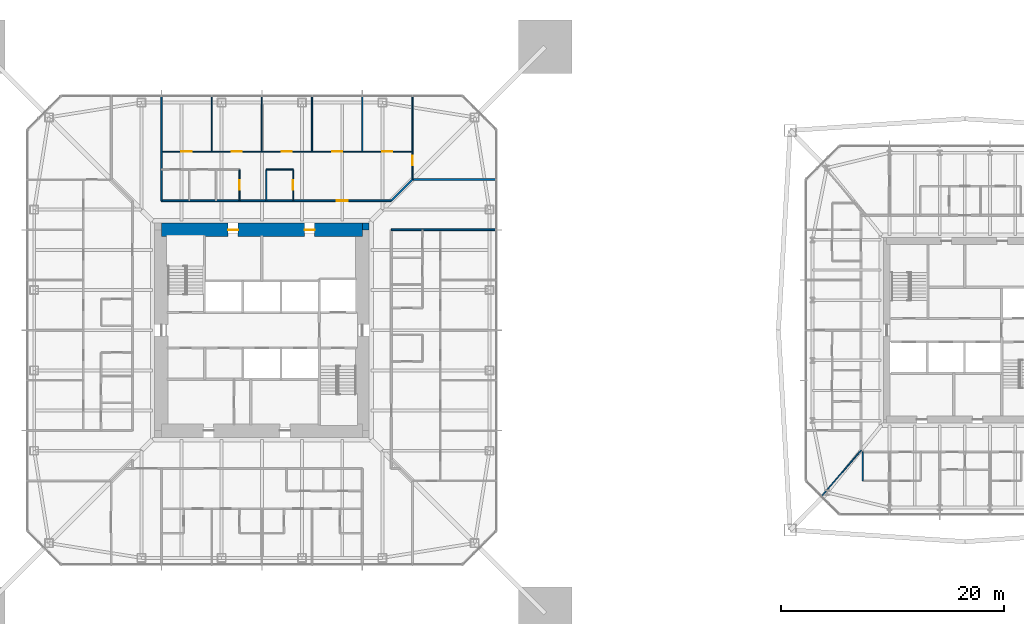
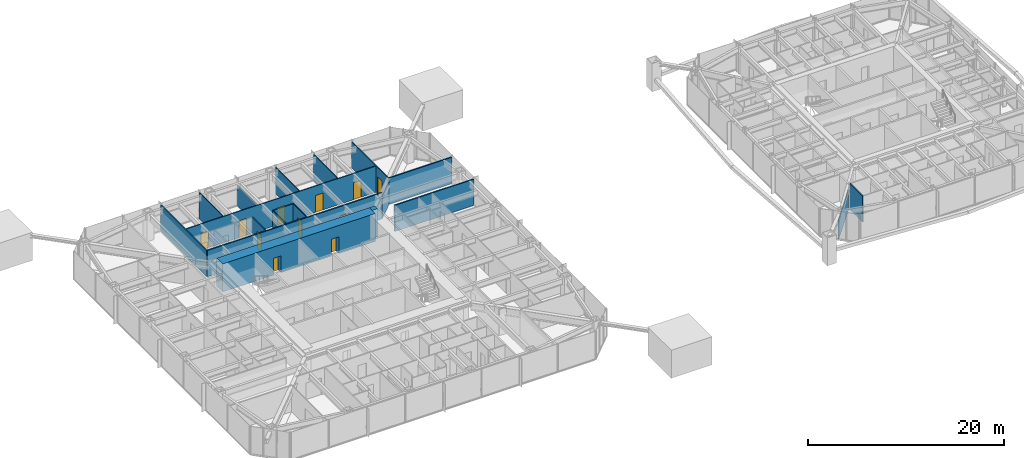
# One storey, part 16 of 25: 19 walls, 11 doors, 11 openings.
"""IFC4 building model written with IfcOpenShell, lengths in metres."""

from ifc_helpers import new_model, si_unit, direction, frame, frame_2d, origin, place, context, subcontext, project, spatial, rectangle, extrude, material, layer, layer_set, type_object, element, fill, save


model = new_model("IFC4")

# Units and contexts
model_context = context("Model", 3, precision=1e-05, world=origin(), true_north=direction((0.0, 1.0)))
body_context = subcontext(model_context, "Body", "Model", "MODEL_VIEW")
ifc_project = project(units=[si_unit("LENGTHUNIT", "METRE"), si_unit("AREAUNIT", "SQUARE_METRE"), si_unit("VOLUMEUNIT", "CUBIC_METRE"), si_unit("PLANEANGLEUNIT", "RADIAN"), si_unit("MASSUNIT", "GRAM", prefix="KILO")], contexts=[model_context])

# Site, building, storey
site_placement = place(None, origin())
site = spatial("IfcSite", under=ifc_project, at=site_placement, CompositionType="ELEMENT")
building_placement = place(site_placement, origin())
building = spatial("IfcBuilding", under=site, at=building_placement, Name="Iwan Alto Co-Living Towers", CompositionType="ELEMENT")
storey_placement = place(building_placement, frame((0.0, 0.0, 87.5)))
storey = spatial("IfcBuildingStorey", under=building, at=storey_placement, Name="L23", CompositionType="ELEMENT", Elevation=87.5)

# Wall
ifc_material_1 = material(Name="Gypsum board")
ifc_layer_1 = layer(ifc_material_1, 0.02490234375, Name="Board", Category="Finish")
ifc_material_2 = material(Name="Steel ASTM A1003 ST33H cold-formed studs", Category="steel")
ifc_layer_2 = layer(ifc_material_2, 0.10009765625, Name="Studs", Category="Framing")
ifc_layer_3 = layer(ifc_material_1, 0.02490234375, Name="Board", Category="Finish")
ifc_layer_set_1 = layer_set([ifc_layer_1, ifc_layer_2, ifc_layer_3], Name="CORRIDOR WALL 150")
wall_type_1 = type_object("IfcWallType", Name="CORRIDOR WALL 150", PredefinedType="PARTITIONING", material=ifc_layer_set_1)
wall_1_placement = place(storey_placement, frame((11.60009765625, 9.0, 0.0), z_axis=(0.0, 0.0, 1.0), x_axis=(1.0, 0.0, 0.0)))
element("IfcWall", 1, at=wall_1_placement, inside=storey, type_object=wall_type_1, Name="Partition L23", PredefinedType="PARTITIONING", context=body_context, shape_type="SweptSolid", body=[
    extrude(rectangle(XDim=9.33984375, YDim=0.14990234375, at=frame_2d((4.669921875, 0.0))), origin(), (0.0, 0.0, 1.0), 3.27001953125),
])

# Wall, opening, door
wall_2_placement = place(storey_placement, frame((-9.0, 11.60009765625, 0.0), z_axis=(0.0, 0.0, 1.0), x_axis=(1.0, 0.0, 0.0)))
wall_2 = element("IfcWall", 2, at=wall_2_placement, inside=storey, type_object=wall_type_1, Name="Partition L23", PredefinedType="PARTITIONING", context=body_context, shape_type="SweptSolid", body=[
    extrude(rectangle(XDim=20.60009765625, YDim=0.14990234375, at=frame_2d((10.300048828125, 0.0))), origin(), (0.0, 0.0, 1.0), 3.27001953125),
])
opening_1_placement = place(wall_2_placement, frame((15.699951171875, 0.0, 0.0)))
opening_1 = element("IfcOpeningElement", 3, at=opening_1_placement, cuts=wall_2, Name="Opening D3", PredefinedType="OPENING", context=body_context, shape_type="SweptSolid", body=[
    extrude(rectangle(XDim=1.0, YDim=2.10009765625, at=frame_2d((0.5, 1.050048828125))), frame((0.0, 0.0849609375, 0.0), z_axis=(0.0, -1.0, 0.0), x_axis=(1.0, 0.0, 0.0)), (0.0, 0.0, 1.0), 0.169921875),
])
ifc_material_3 = material(Name="Steel frame with timber leaf", Category="steel")
door_type_1 = type_object("IfcDoorType", Name="FLAT ENTRANCE DOOR FD30S 1000X2100", OperationType="SINGLE_SWING_LEFT", PredefinedType="DOOR", material=ifc_material_3)
door_1_placement = place(opening_1_placement, origin())
door_1 = element("IfcDoor", 4, at=door_1_placement, inside=storey, type_object=door_type_1, Name="Cluster lounge door L23", OperationType="SINGLE_SWING_LEFT", OverallHeight=2.10009765625, OverallWidth=1.0, PredefinedType="DOOR", context=body_context, shape_type="SweptSolid", body=[
    extrude(rectangle(XDim=1.0, YDim=2.10009765625, at=frame_2d((0.5, 1.050048828125))), frame((0.0, 0.02490234375, 0.0), z_axis=(0.0, -1.0, 0.0), x_axis=(1.0, 0.0, 0.0)), (0.0, 0.0, 1.0), 0.050048828125),
])
fill(opening_1, door_1)

# Walls
wall_3_placement = place(storey_placement, frame((13.5, 13.5, 0.0), z_axis=(0.0, 0.0, 1.0), x_axis=(1.0, 0.0, 0.0)))
element("IfcWall", 5, at=wall_3_placement, inside=storey, type_object=wall_type_1, Name="Partition L23", PredefinedType="PARTITIONING", context=body_context, shape_type="SweptSolid", body=[
    extrude(rectangle(XDim=7.43994140625, YDim=0.14990234375, at=frame_2d((3.719970703125, 0.0))), origin(), (0.0, 0.0, 1.0), 3.27001953125),
])
wall_4_placement = place(storey_placement, frame((11.60009765625, 11.60009765625, 0.0), z_axis=(0.0, 0.0, 1.0), x_axis=(0.707106781187, 0.707106781187, 0.0)))
element("IfcWall", 6, at=wall_4_placement, inside=storey, type_object=wall_type_1, Name="Partition L23", PredefinedType="PARTITIONING", context=body_context, shape_type="SweptSolid", body=[
    extrude(rectangle(XDim=2.686767578125, YDim=0.14990234375, at=frame_2d((1.34326171875, 0.0))), origin(), (0.0, 0.0, 1.0), 2.343017578125),
])
wall_5_placement = place(storey_placement, frame((-9.0, 11.60009765625, 0.0), z_axis=(0.0, 0.0, 1.0), x_axis=(0.0, 1.0, 0.0)))
element("IfcWall", 7, at=wall_5_placement, inside=storey, type_object=wall_type_1, Name="Partition L23", PredefinedType="PARTITIONING", context=body_context, shape_type="SweptSolid", body=[
    extrude(rectangle(XDim=9.33984375, YDim=0.14990234375, at=frame_2d((4.669921875, 0.0))), origin(), (0.0, 0.0, 1.0), 3.27001953125),
])
ifc_layer_4 = layer(ifc_material_1, 0.012451171875, Name="Board", Category="Finish")
ifc_layer_5 = layer(ifc_material_2, 0.074951171875, Name="Studs", Category="Framing")
ifc_layer_6 = layer(ifc_material_1, 0.012451171875, Name="Board", Category="Finish")
ifc_layer_set_2 = layer_set([ifc_layer_4, ifc_layer_5, ifc_layer_6], Name="PARTITION 100")
wall_type_2 = type_object("IfcWallType", Name="PARTITION 100", PredefinedType="PARTITIONING", material=ifc_layer_set_2)
wall_6_placement = place(storey_placement, frame((0.39990234375, 14.39990234375, 0.0), z_axis=(0.0, 0.0, 1.0), x_axis=(1.0, 0.0, 0.0)))
element("IfcWall", 8, at=wall_6_placement, inside=storey, type_object=wall_type_2, Name="Partition L23", PredefinedType="PARTITIONING", context=body_context, shape_type="SweptSolid", body=[
    extrude(rectangle(XDim=2.400146484375, YDim=0.10009765625, at=frame_2d((1.2001953125, 0.0))), origin(), (0.0, 0.0, 1.0), 3.27001953125),
])

# Wall, openings, doors
wall_7_placement = place(storey_placement, frame((-9.0, 16.0, 0.0), z_axis=(0.0, 0.0, 1.0), x_axis=(1.0, 0.0, 0.0)))
wall_7 = element("IfcWall", 9, at=wall_7_placement, inside=storey, type_object=wall_type_2, Name="Partition L23", PredefinedType="PARTITIONING", context=body_context, shape_type="SweptSolid", body=[
    extrude(rectangle(XDim=22.5, YDim=0.10009765625, at=frame_2d((11.25, 0.0))), origin(), (0.0, 0.0, 1.0), 3.27001953125),
])
opening_2_placement = place(wall_7_placement, frame((19.800048828125, 0.0, 0.0)))
opening_2 = element("IfcOpeningElement", 10, at=opening_2_placement, cuts=wall_7, Name="Opening D1", PredefinedType="OPENING", context=body_context, shape_type="SweptSolid", body=[
    extrude(rectangle(XDim=0.89990234375, YDim=2.10009765625, at=frame_2d((0.449951171875, 1.050048828125))), frame((0.0, 0.06005859375, 0.0), z_axis=(0.0, -1.0, 0.0), x_axis=(1.0, 0.0, 0.0)), (0.0, 0.0, 1.0), 0.1201171875),
])
opening_3_placement = place(wall_7_placement, frame((15.300048828125, 0.0, 0.0)))
opening_3 = element("IfcOpeningElement", 11, at=opening_3_placement, cuts=wall_7, Name="Opening D1", PredefinedType="OPENING", context=body_context, shape_type="SweptSolid", body=[
    extrude(rectangle(XDim=0.89990234375, YDim=2.10009765625, at=frame_2d((0.449951171875, 1.050048828125))), frame((0.0, 0.06005859375, 0.0), z_axis=(0.0, -1.0, 0.0), x_axis=(1.0, 0.0, 0.0)), (0.0, 0.0, 1.0), 0.1201171875),
])
opening_4_placement = place(wall_7_placement, frame((10.800048828125, 0.0, 0.0)))
opening_4 = element("IfcOpeningElement", 12, at=opening_4_placement, cuts=wall_7, Name="Opening D1", PredefinedType="OPENING", context=body_context, shape_type="SweptSolid", body=[
    extrude(rectangle(XDim=0.89990234375, YDim=2.10009765625, at=frame_2d((0.449951171875, 1.050048828125))), frame((0.0, 0.06005859375, 0.0), z_axis=(0.0, -1.0, 0.0), x_axis=(1.0, 0.0, 0.0)), (0.0, 0.0, 1.0), 0.1201171875),
])
opening_5_placement = place(wall_7_placement, frame((6.300048828125, 0.0, 0.0)))
opening_5 = element("IfcOpeningElement", 13, at=opening_5_placement, cuts=wall_7, Name="Opening D1", PredefinedType="OPENING", context=body_context, shape_type="SweptSolid", body=[
    extrude(rectangle(XDim=0.89990234375, YDim=2.10009765625, at=frame_2d((0.449951171875, 1.050048828125))), frame((0.0, 0.06005859375, 0.0), z_axis=(0.0, -1.0, 0.0), x_axis=(1.0, 0.0, 0.0)), (0.0, 0.0, 1.0), 0.1201171875),
])
opening_6_placement = place(wall_7_placement, frame((1.800048828125, 0.0, 0.0)))
opening_6 = element("IfcOpeningElement", 14, at=opening_6_placement, cuts=wall_7, Name="Opening D1", PredefinedType="OPENING", context=body_context, shape_type="SweptSolid", body=[
    extrude(rectangle(XDim=0.89990234375, YDim=2.10009765625, at=frame_2d((0.449951171875, 1.050048828125))), frame((0.0, 0.06005859375, 0.0), z_axis=(0.0, -1.0, 0.0), x_axis=(1.0, 0.0, 0.0)), (0.0, 0.0, 1.0), 0.1201171875),
])
ifc_material_4 = material(Name="Timber leaf in steel frame", Category="steel")
door_type_2 = type_object("IfcDoorType", Name="BEDROOM DOOR 900X2100", OperationType="SINGLE_SWING_LEFT", PredefinedType="DOOR", material=ifc_material_4)
door_2_placement = place(opening_2_placement, frame((0.89990234375, 0.0, 0.0), z_axis=(0.0, 0.0, 1.0), x_axis=(-1.0, 0.0, 0.0)))
door_2 = element("IfcDoor", 15, at=door_2_placement, inside=storey, type_object=door_type_2, Name="Study bedroom door L23", OperationType="SINGLE_SWING_LEFT", OverallHeight=2.10009765625, OverallWidth=0.89990234375, PredefinedType="DOOR", context=body_context, shape_type="SweptSolid", body=[
    extrude(rectangle(XDim=0.89990234375, YDim=2.10009765625, at=frame_2d((0.449951171875, 1.050048828125))), frame((0.0, 0.02490234375, 0.0), z_axis=(0.0, -1.0, 0.0), x_axis=(1.0, 0.0, 0.0)), (0.0, 0.0, 1.0), 0.050048828125),
])
fill(opening_2, door_2)
door_3_placement = place(opening_3_placement, frame((0.89990234375, 0.0, 0.0), z_axis=(0.0, 0.0, 1.0), x_axis=(-1.0, 0.0, 0.0)))
door_3 = element("IfcDoor", 16, at=door_3_placement, inside=storey, type_object=door_type_2, Name="Study bedroom door L23", OperationType="SINGLE_SWING_LEFT", OverallHeight=2.10009765625, OverallWidth=0.89990234375, PredefinedType="DOOR", context=body_context, shape_type="SweptSolid", body=[
    extrude(rectangle(XDim=0.89990234375, YDim=2.10009765625, at=frame_2d((0.449951171875, 1.050048828125))), frame((0.0, 0.02490234375, 0.0), z_axis=(0.0, -1.0, 0.0), x_axis=(1.0, 0.0, 0.0)), (0.0, 0.0, 1.0), 0.050048828125),
])
fill(opening_3, door_3)
door_4_placement = place(opening_4_placement, frame((0.89990234375, 0.0, 0.0), z_axis=(0.0, 0.0, 1.0), x_axis=(-1.0, 0.0, 0.0)))
door_4 = element("IfcDoor", 17, at=door_4_placement, inside=storey, type_object=door_type_2, Name="Study bedroom door L23", OperationType="SINGLE_SWING_RIGHT", OverallHeight=2.10009765625, OverallWidth=0.89990234375, PredefinedType="DOOR", context=body_context, shape_type="SweptSolid", body=[
    extrude(rectangle(XDim=0.89990234375, YDim=2.10009765625, at=frame_2d((0.449951171875, 1.050048828125))), frame((0.0, 0.02490234375, 0.0), z_axis=(0.0, -1.0, 0.0), x_axis=(1.0, 0.0, 0.0)), (0.0, 0.0, 1.0), 0.050048828125),
])
fill(opening_4, door_4)
door_5_placement = place(opening_5_placement, frame((0.89990234375, 0.0, 0.0), z_axis=(0.0, 0.0, 1.0), x_axis=(-1.0, 0.0, 0.0)))
door_5 = element("IfcDoor", 18, at=door_5_placement, inside=storey, type_object=door_type_2, Name="Study bedroom door L23", OperationType="SINGLE_SWING_RIGHT", OverallHeight=2.10009765625, OverallWidth=0.89990234375, PredefinedType="DOOR", context=body_context, shape_type="SweptSolid", body=[
    extrude(rectangle(XDim=0.89990234375, YDim=2.10009765625, at=frame_2d((0.449951171875, 1.050048828125))), frame((0.0, 0.02490234375, 0.0), z_axis=(0.0, -1.0, 0.0), x_axis=(1.0, 0.0, 0.0)), (0.0, 0.0, 1.0), 0.050048828125),
])
fill(opening_5, door_5)
door_6_placement = place(opening_6_placement, frame((0.89990234375, 0.0, 0.0), z_axis=(0.0, 0.0, 1.0), x_axis=(-1.0, 0.0, 0.0)))
door_6 = element("IfcDoor", 19, at=door_6_placement, inside=storey, type_object=door_type_2, Name="Study bedroom door L23", OperationType="SINGLE_SWING_RIGHT", OverallHeight=2.10009765625, OverallWidth=0.89990234375, PredefinedType="DOOR", context=body_context, shape_type="SweptSolid", body=[
    extrude(rectangle(XDim=0.89990234375, YDim=2.10009765625, at=frame_2d((0.449951171875, 1.050048828125))), frame((0.0, 0.02490234375, 0.0), z_axis=(0.0, -1.0, 0.0), x_axis=(1.0, 0.0, 0.0)), (0.0, 0.0, 1.0), 0.050048828125),
])
fill(opening_6, door_6)

# Wall
wall_8_placement = place(storey_placement, frame((50.178955078125, -14.843994140625, 0.0), z_axis=(0.0, 0.0, 1.0), x_axis=(0.653713095188, 0.756742485381, 0.0)))
element("IfcWall", 20, at=wall_8_placement, inside=storey, type_object=wall_type_2, Name="Partition L23", PredefinedType="PARTITIONING", context=body_context, shape_type="SweptSolid", body=[
    extrude(rectangle(XDim=5.38623046875, YDim=0.10009765625, at=frame_2d((2.693115234375, 0.0))), origin(), (0.0, 0.0, 1.0), 2.42919921875),
])

# Wall, opening, door
wall_9_placement = place(storey_placement, frame((13.5, 13.5, 0.0), z_axis=(0.0, 0.0, 1.0), x_axis=(0.0, 1.0, 0.0)))
wall_9 = element("IfcWall", 21, at=wall_9_placement, inside=storey, type_object=wall_type_2, Name="Partition L23", PredefinedType="PARTITIONING", context=body_context, shape_type="SweptSolid", body=[
    extrude(rectangle(XDim=7.43994140625, YDim=0.10009765625, at=frame_2d((3.719970703125, 0.0))), origin(), (0.0, 0.0, 1.0), 3.27001953125),
])
opening_7_placement = place(wall_9_placement, frame((1.27490234375, 0.0, 0.0)))
opening_7 = element("IfcOpeningElement", 22, at=opening_7_placement, cuts=wall_9, Name="Opening D2", PredefinedType="OPENING", context=body_context, shape_type="SweptSolid", body=[
    extrude(rectangle(XDim=0.85009765625, YDim=2.10009765625, at=frame_2d((0.425048828125, 1.050048828125))), frame((0.0, 0.06005859375, 0.0), z_axis=(0.0, -1.0, 0.0), x_axis=(1.0, 0.0, 0.0)), (0.0, 0.0, 1.0), 0.1201171875),
])
ifc_material_5 = material(Name="Timber leaf in steel frame", Category="steel")
door_type_3 = type_object("IfcDoorType", Name="ROOM DOOR 850X2100", OperationType="SINGLE_SWING_LEFT", PredefinedType="DOOR", material=ifc_material_5)
door_7_placement = place(opening_7_placement, origin())
door_7 = element("IfcDoor", 23, at=door_7_placement, inside=storey, type_object=door_type_3, Name="Shared kitchen and lounge door L23", OperationType="SINGLE_SWING_RIGHT", OverallHeight=2.10009765625, OverallWidth=0.85009765625, PredefinedType="DOOR", context=body_context, shape_type="SweptSolid", body=[
    extrude(rectangle(XDim=0.85009765625, YDim=2.10009765625, at=frame_2d((0.425048828125, 1.050048828125))), frame((0.0, 0.02490234375, 0.0), z_axis=(0.0, -1.0, 0.0), x_axis=(1.0, 0.0, 0.0)), (0.0, 0.0, 1.0), 0.050048828125),
])
fill(opening_7, door_7)

# Walls
for number, where, z_axis, x_axis, name in (
    (24, (9.0, 16.0, 0.0), (0.0, 0.0, 1.0), (0.0, 1.0, 0.0), "Partition L23"),
    (25, (4.5, 16.0, 0.0), (0.0, 0.0, 1.0), (0.0, 1.0, 0.0), "Partition L23"),
):
    element("IfcWall", number, at=place(storey_placement, frame(where, z_axis=z_axis, x_axis=x_axis)), inside=storey, type_object=wall_type_2, Name=name, PredefinedType="PARTITIONING", context=body_context, shape_type="SweptSolid", body=[
        extrude(rectangle(XDim=4.93994140625, YDim=0.10009765625, at=frame_2d((2.469970703125, 0.0))), origin(), (0.0, 0.0, 1.0), 3.27001953125),
    ])

# Wall, opening, door
wall_10_placement = place(storey_placement, frame((2.800048828125, 11.60009765625, 0.0), z_axis=(0.0, 0.0, 1.0), x_axis=(0.0, 1.0, 0.0)))
wall_10 = element("IfcWall", 26, at=wall_10_placement, inside=storey, type_object=wall_type_2, Name="Partition L23", PredefinedType="PARTITIONING", context=body_context, shape_type="SweptSolid", body=[
    extrude(rectangle(XDim=2.7998046875, YDim=0.10009765625, at=frame_2d((1.39990234375, 0.0))), origin(), (0.0, 0.0, 1.0), 3.27001953125),
])
opening_8_placement = place(wall_10_placement, frame((0.97509765625, 0.0, 0.0)))
opening_8 = element("IfcOpeningElement", 27, at=opening_8_placement, cuts=wall_10, Name="Opening D2", PredefinedType="OPENING", context=body_context, shape_type="SweptSolid", body=[
    extrude(rectangle(XDim=0.85009765625, YDim=2.10009765625, at=frame_2d((0.425048828125, 1.050048828125))), frame((0.0, 0.06005859375, 0.0), z_axis=(0.0, -1.0, 0.0), x_axis=(1.0, 0.0, 0.0)), (0.0, 0.0, 1.0), 0.1201171875),
])
door_8_placement = place(opening_8_placement, frame((0.85009765625, 0.0, 0.0), z_axis=(0.0, 0.0, 1.0), x_axis=(-1.0, 0.0, 0.0)))
door_8 = element("IfcDoor", 28, at=door_8_placement, inside=storey, type_object=door_type_3, Name="Store room door L23", OperationType="SINGLE_SWING_RIGHT", OverallHeight=2.10009765625, OverallWidth=0.85009765625, PredefinedType="DOOR", context=body_context, shape_type="SweptSolid", body=[
    extrude(rectangle(XDim=0.85009765625, YDim=2.10009765625, at=frame_2d((0.425048828125, 1.050048828125))), frame((0.0, 0.02490234375, 0.0), z_axis=(0.0, -1.0, 0.0), x_axis=(1.0, 0.0, 0.0)), (0.0, 0.0, 1.0), 0.050048828125),
])
fill(opening_8, door_8)

# Walls
wall_11_placement = place(storey_placement, frame((0.39990234375, 11.60009765625, 0.0), z_axis=(0.0, 0.0, 1.0), x_axis=(0.0, 1.0, 0.0)))
element("IfcWall", 29, at=wall_11_placement, inside=storey, type_object=wall_type_2, Name="Partition L23", PredefinedType="PARTITIONING", context=body_context, shape_type="SweptSolid", body=[
    extrude(rectangle(XDim=2.7998046875, YDim=0.10009765625, at=frame_2d((1.39990234375, 0.0))), origin(), (0.0, 0.0, 1.0), 3.27001953125),
])
wall_12_placement = place(storey_placement, frame((0.0, 16.0, 0.0), z_axis=(0.0, 0.0, 1.0), x_axis=(0.0, 1.0, 0.0)))
element("IfcWall", 30, at=wall_12_placement, inside=storey, type_object=wall_type_2, Name="Partition L23", PredefinedType="PARTITIONING", context=body_context, shape_type="SweptSolid", body=[
    extrude(rectangle(XDim=4.93994140625, YDim=0.10009765625, at=frame_2d((2.469970703125, 0.0))), origin(), (0.0, 0.0, 1.0), 2.586669921875),
])
wall_13_placement = place(storey_placement, frame((-4.5, 16.0, 0.0), z_axis=(0.0, 0.0, 1.0), x_axis=(0.0, 1.0, 0.0)))
element("IfcWall", 31, at=wall_13_placement, inside=storey, type_object=wall_type_2, Name="Partition L23", PredefinedType="PARTITIONING", context=body_context, shape_type="SweptSolid", body=[
    extrude(rectangle(XDim=4.93994140625, YDim=0.10009765625, at=frame_2d((2.469970703125, 0.0))), origin(), (0.0, 0.0, 1.0), 3.27001953125),
])
ifc_material_6 = material(Name="Concrete f'c 70 MPa", Category="concrete")
ifc_layer_7 = layer(ifc_material_6, 0.60009765625)
ifc_layer_set_3 = layer_set([ifc_layer_7], Name="T1 CORE CORNER FILL 600")
wall_type_3 = type_object("IfcWallType", Name="T1 CORE CORNER FILL 600", PredefinedType="SOLIDWALL", material=ifc_layer_set_3)
wall_14_placement = place(storey_placement, frame((9.0, 9.300048828125, 0.0), z_axis=(0.0, 0.0, 1.0), x_axis=(1.0, 0.0, 0.0)))
element("IfcWall", 32, at=wall_14_placement, inside=storey, type_object=wall_type_3, Name="T1 core corner NE L23", PredefinedType="SOLIDWALL", context=body_context, shape_type="SweptSolid", body=[
    extrude(rectangle(XDim=0.60009765625, YDim=0.60009765625, at=frame_2d((0.300048828125, 0.0))), origin(), (0.0, 0.0, 1.0), 3.5),
])

# Wall, openings, doors
ifc_material_7 = material(Name="Concrete f'c 70 MPa", Category="concrete")
ifc_layer_8 = layer(ifc_material_7, 1.199951171875)
ifc_layer_set_4 = layer_set([ifc_layer_8], Name="T1 CORE WALL 1200")
wall_type_4 = type_object("IfcWallType", Name="T1 CORE WALL 1200", PredefinedType="SHEAR", material=ifc_layer_set_4)
wall_15_placement = place(storey_placement, frame((9.0, 9.0, 0.0), z_axis=(0.0, 0.0, 1.0), x_axis=(-1.0, 0.0, 0.0)))
wall_15 = element("IfcWall", 33, at=wall_15_placement, inside=storey, type_object=wall_type_4, Name="T1 core wall N L23", PredefinedType="SHEAR", context=body_context, shape_type="SweptSolid", body=[
    extrude(rectangle(XDim=18.0, YDim=1.199951171875, at=frame_2d((9.0, 0.0))), origin(), (0.0, 0.0, 1.0), 3.5),
])
opening_9_placement = place(wall_15_placement, frame((11.125, 0.0, 0.0)))
opening_9 = element("IfcOpeningElement", 34, at=opening_9_placement, cuts=wall_15, Name="Opening D8", PredefinedType="OPENING", context=body_context, shape_type="SweptSolid", body=[
    extrude(rectangle(XDim=0.89990234375, YDim=2.10009765625, at=frame_2d((0.449951171875, 1.050048828125))), frame((0.0, 0.60986328125, 0.0), z_axis=(0.0, -1.0, 0.0), x_axis=(1.0, 0.0, 0.0)), (0.0, 0.0, 1.0), 1.219970703125),
])
opening_10_placement = place(wall_15_placement, frame((4.27490234375, 0.0, 0.0)))
opening_10 = element("IfcOpeningElement", 35, at=opening_10_placement, cuts=wall_15, Name="Opening D8", PredefinedType="OPENING", context=body_context, shape_type="SweptSolid", body=[
    extrude(rectangle(XDim=0.89990234375, YDim=2.10009765625, at=frame_2d((0.449951171875, 1.050048828125))), frame((0.0, 0.60986328125, 0.0), z_axis=(0.0, -1.0, 0.0), x_axis=(1.0, 0.0, 0.0)), (0.0, 0.0, 1.0), 1.219970703125),
])
ifc_material_8 = material(Name="Steel frame with timber leaf", Category="steel")
door_type_4 = type_object("IfcDoorType", Name="RISER DOOR FD120 900X2100", OperationType="SINGLE_SWING_LEFT", PredefinedType="DOOR", material=ifc_material_8)
door_9_placement = place(opening_9_placement, origin())
door_9 = element("IfcDoor", 36, at=door_9_placement, inside=storey, type_object=door_type_4, Name="Electrical riser core door L23", OperationType="SINGLE_SWING_RIGHT", OverallHeight=2.10009765625, OverallWidth=0.89990234375, PredefinedType="DOOR", context=body_context, shape_type="SweptSolid", body=[
    extrude(rectangle(XDim=0.89990234375, YDim=2.10009765625, at=frame_2d((0.449951171875, 1.050048828125))), frame((0.0, 0.02490234375, 0.0), z_axis=(0.0, -1.0, 0.0), x_axis=(1.0, 0.0, 0.0)), (0.0, 0.0, 1.0), 0.050048828125),
])
fill(opening_9, door_9)
door_10_placement = place(opening_10_placement, origin())
door_10 = element("IfcDoor", 37, at=door_10_placement, inside=storey, type_object=door_type_4, Name="Water and drainage riser core door L23", OperationType="SINGLE_SWING_RIGHT", OverallHeight=2.10009765625, OverallWidth=0.89990234375, PredefinedType="DOOR", context=body_context, shape_type="SweptSolid", body=[
    extrude(rectangle(XDim=0.89990234375, YDim=2.10009765625, at=frame_2d((0.449951171875, 1.050048828125))), frame((0.0, 0.02490234375, 0.0), z_axis=(0.0, -1.0, 0.0), x_axis=(1.0, 0.0, 0.0)), (0.0, 0.0, 1.0), 0.050048828125),
])
fill(opening_10, door_10)

# Wall
ifc_material_9 = material(Name="Cement board")
ifc_layer_9 = layer(ifc_material_9, 0.012451171875, Name="Board", Category="Finish")
ifc_layer_10 = layer(ifc_material_2, 0.094970703125, Name="Studs", Category="Framing")
ifc_layer_11 = layer(ifc_material_9, 0.012451171875, Name="Board", Category="Finish")
ifc_layer_set_5 = layer_set([ifc_layer_9, ifc_layer_10, ifc_layer_11], Name="WET AREA PARTITION 120")
wall_type_5 = type_object("IfcWallType", Name="WET AREA PARTITION 120", PredefinedType="PARTITIONING", material=ifc_layer_set_5)
wall_16_placement = place(storey_placement, frame((53.85009765625, -13.5, 0.0), z_axis=(0.0, 0.0, 1.0), x_axis=(0.0, 1.0, 0.0)))
element("IfcWall", 38, at=wall_16_placement, inside=storey, type_object=wall_type_5, Name="Partition L23", PredefinedType="PARTITIONING", context=body_context, shape_type="SweptSolid", body=[
    extrude(rectangle(XDim=2.60009765625, YDim=0.1201171875, at=frame_2d((1.300048828125, 0.0))), origin(), (0.0, 0.0, 1.0), 3.27001953125),
])

# Wall, opening, door
wall_17_placement = place(storey_placement, frame((-2.0, 11.60009765625, 0.0), z_axis=(0.0, 0.0, 1.0), x_axis=(0.0, 1.0, 0.0)))
wall_17 = element("IfcWall", 39, at=wall_17_placement, inside=storey, type_object=wall_type_5, Name="Partition L23", PredefinedType="PARTITIONING", context=body_context, shape_type="SweptSolid", body=[
    extrude(rectangle(XDim=2.7998046875, YDim=0.1201171875, at=frame_2d((1.39990234375, 0.0))), origin(), (0.0, 0.0, 1.0), 3.27001953125),
])
opening_11_placement = place(wall_17_placement, frame((0.97509765625, 0.0, 0.0)))
opening_11 = element("IfcOpeningElement", 40, at=opening_11_placement, cuts=wall_17, Name="Opening D2", PredefinedType="OPENING", context=body_context, shape_type="SweptSolid", body=[
    extrude(rectangle(XDim=0.85009765625, YDim=2.10009765625, at=frame_2d((0.425048828125, 1.050048828125))), frame((0.0, 0.070068359375, 0.0), z_axis=(0.0, -1.0, 0.0), x_axis=(1.0, 0.0, 0.0)), (0.0, 0.0, 1.0), 0.14013671875),
])
door_11_placement = place(opening_11_placement, frame((0.85009765625, 0.0, 0.0), z_axis=(0.0, 0.0, 1.0), x_axis=(-1.0, 0.0, 0.0)))
door_11 = element("IfcDoor", 41, at=door_11_placement, inside=storey, type_object=door_type_3, Name="Bathroom door L23", OperationType="SINGLE_SWING_RIGHT", OverallHeight=2.10009765625, OverallWidth=0.85009765625, PredefinedType="DOOR", context=body_context, shape_type="SweptSolid", body=[
    extrude(rectangle(XDim=0.85009765625, YDim=2.10009765625, at=frame_2d((0.425048828125, 1.050048828125))), frame((0.0, 0.02490234375, 0.0), z_axis=(0.0, -1.0, 0.0), x_axis=(1.0, 0.0, 0.0)), (0.0, 0.0, 1.0), 0.050048828125),
])
fill(opening_11, door_11)

save(model, "model.ifc")
